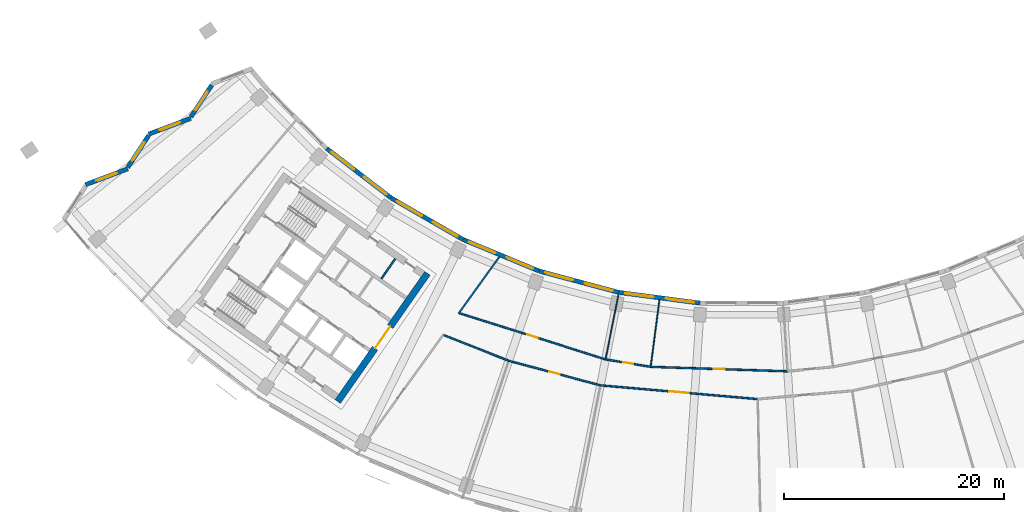
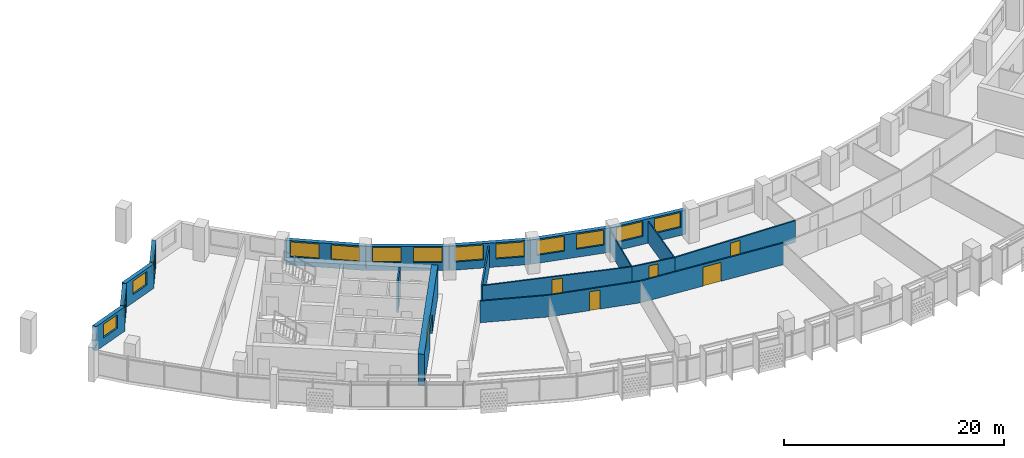
# One storey, part 4 of 27: 20 walls, 14 windows, 6 doors, 20 openings.
"""IFC4 building model written with IfcOpenShell, lengths in metres."""

from ifc_helpers import new_model, si_unit, direction, frame, frame_2d, origin, place, context, subcontext, project, spatial, rectangle, extrude, material, layer, layer_set, type_object, element, fill, save


model = new_model("IFC4")

# Units and contexts
model_context = context("Model", 3, precision=1e-05, world=origin(), true_north=direction((0.0, 1.0)))
body_context = subcontext(model_context, "Body", "Model", "MODEL_VIEW")
ifc_project = project(units=[si_unit("LENGTHUNIT", "METRE"), si_unit("AREAUNIT", "SQUARE_METRE"), si_unit("VOLUMEUNIT", "CUBIC_METRE"), si_unit("PLANEANGLEUNIT", "RADIAN"), si_unit("MASSUNIT", "GRAM", prefix="KILO")], contexts=[model_context])

# Site, building, storey
site_placement = place(None, origin())
site = spatial("IfcSite", under=ifc_project, at=site_placement, CompositionType="ELEMENT")
building_placement = place(site_placement, origin())
building = spatial("IfcBuilding", under=site, at=building_placement, Name="Qamariyya Broadcast Tower", CompositionType="ELEMENT")
storey_placement = place(building_placement, frame((0.0, 0.0, 191.10009765625)))
storey = spatial("IfcBuildingStorey", under=building, at=storey_placement, Name="L45", CompositionType="ELEMENT", Elevation=191.10009765625)

# Wall, opening, door
ifc_material_1 = material(Name="Concrete C60/75", Category="concrete")
ifc_layer_1 = layer(ifc_material_1, 0.60009765625)
ifc_layer_set_1 = layer_set([ifc_layer_1], Name="Core wall 600 mm Concrete C60/75")
wall_type_1 = type_object("IfcWallType", Name="Core wall 600 mm Concrete C60/75", PredefinedType="SHEAR", material=ifc_layer_set_1)
wall_1_placement = place(storey_placement, frame((-36.66748046875, -66.005126953125, 0.0), z_axis=(0.0, 0.0, 1.0), x_axis=(0.573568499524, 0.819157601658, 0.0)))
wall_1 = element("IfcWall", 1, at=wall_1_placement, inside=storey, type_object=wall_type_1, Name="k-W-L45-WA", PredefinedType="SHEAR", context=body_context, shape_type="SweptSolid", body=[
    extrude(rectangle(XDim=14.19970703125, YDim=0.60009765625, at=frame_2d((7.099853515625, 0.0))), origin(), (0.0, 0.0, 1.0), 3.5),
])
opening_1_placement = place(wall_1_placement, frame((5.89990234375, 0.0, 0.0)))
opening_1 = element("IfcOpeningElement", 2, at=opening_1_placement, cuts=wall_1, Name="Opening KD3-W1", PredefinedType="OPENING", context=body_context, shape_type="SweptSolid", body=[
    extrude(rectangle(XDim=2.39990234375, YDim=2.10009765625, at=frame_2d((1.199951171875, 1.050048828125))), frame((0.0, 0.31005859375, 0.0), z_axis=(0.0, -1.0, 0.0), x_axis=(1.0, 0.0, 0.0)), (0.0, 0.0, 1.0), 0.6201171875),
])
ifc_material_2 = material(Name="Steel fire-resisting door leaf", Category="steel")
door_type_1 = type_object("IfcDoorType", Name="Lift lobby door KD3", OperationType="DOUBLE_DOOR_SINGLE_SWING", PredefinedType="DOOR", material=ifc_material_2)
door_1_placement = place(opening_1_placement, origin())
door_1 = element("IfcDoor", 3, at=door_1_placement, inside=storey, type_object=door_type_1, Name="k-W-L45-WA-D1", OperationType="DOUBLE_DOOR_SINGLE_SWING", OverallHeight=2.10009765625, OverallWidth=2.39990234375, PredefinedType="DOOR", context=body_context, shape_type="SweptSolid", body=[
    extrude(rectangle(XDim=2.39990234375, YDim=2.10009765625, at=frame_2d((1.199951171875, 1.050048828125))), frame((0.0, 0.02490234375, 0.0), z_axis=(0.0, -1.0, 0.0), x_axis=(1.0, 0.0, 0.0)), (0.0, 0.0, 1.0), 0.050048828125),
])
fill(opening_1, door_1)

# Wall
ifc_material_3 = material(Name="Gypsum board partition")
ifc_layer_2 = layer(ifc_material_3, 0.14990234375)
ifc_layer_set_2 = layer_set([ifc_layer_2], Name="Corridor partition 150 EI 60")
wall_type_2 = type_object("IfcWallType", Name="Corridor partition 150 EI 60", PredefinedType="PARTITIONING", material=ifc_layer_set_2)
wall_2_placement = place(storey_placement, frame((-27.031005859375, -59.987548828125, 0.0), z_axis=(0.0, 0.0, 1.0), x_axis=(0.930189926157, -0.367078603675, 0.0)))
element("IfcWall", 4, at=wall_2_placement, inside=storey, type_object=wall_type_2, Name="Partition L45-003", PredefinedType="PARTITIONING", context=body_context, shape_type="SweptSolid", body=[
    extrude(rectangle(XDim=6.32177734375, YDim=0.14990234375, at=frame_2d((3.160888671875, 0.0))), origin(), (0.0, 0.0, 1.0), 2.39990234375),
])

# Wall, opening, door
wall_3_placement = place(storey_placement, frame((-25.59765625, -57.99365234375, 0.0), z_axis=(0.0, 0.0, 1.0), x_axis=(0.953361971867, -0.301829340187, 0.0)))
wall_3 = element("IfcWall", 5, at=wall_3_placement, inside=storey, type_object=wall_type_2, Name="Partition L45-004", PredefinedType="PARTITIONING", context=body_context, shape_type="SweptSolid", body=[
    extrude(rectangle(XDim=13.876220703125, YDim=0.14990234375, at=frame_2d((6.93798828125, 0.0))), origin(), (0.0, 0.0, 1.0), 2.39990234375),
])
opening_2_placement = place(wall_3_placement, frame((6.43798828125, 0.0, 0.0)))
opening_2 = element("IfcOpeningElement", 6, at=opening_2_placement, cuts=wall_3, Name="Opening L45-D07", PredefinedType="OPENING", context=body_context, shape_type="SweptSolid", body=[
    extrude(rectangle(XDim=1.0, YDim=2.10009765625, at=frame_2d((0.5, 1.050048828125))), frame((0.0, 0.0849609375, 0.0), z_axis=(0.0, -1.0, 0.0), x_axis=(1.0, 0.0, 0.0)), (0.0, 0.0, 1.0), 0.169921875),
])
ifc_material_4 = material(Name="Timber fire door leaf", Category="wood")
door_type_2 = type_object("IfcDoorType", Name="Fire door 1000 x 2100 FD60", OperationType="NOTDEFINED", PredefinedType="DOOR", material=ifc_material_4)
door_2_placement = place(opening_2_placement, origin())
door_2 = element("IfcDoor", 7, at=door_2_placement, inside=storey, type_object=door_type_2, Name="Door L45-D07", OperationType="SINGLE_SWING_RIGHT", OverallHeight=2.10009765625, OverallWidth=1.0, PredefinedType="DOOR", context=body_context, shape_type="SweptSolid", body=[
    extrude(rectangle(XDim=1.0, YDim=2.10009765625, at=frame_2d((0.5, 1.050048828125))), frame((0.0, 0.02490234375, 0.0), z_axis=(0.0, -1.0, 0.0), x_axis=(1.0, 0.0, 0.0)), (0.0, 0.0, 1.0), 0.050048828125),
])
fill(opening_2, door_2)

# Wall
wall_4_placement = place(storey_placement, frame((-22.0, -52.873046875, 0.0), z_axis=(0.0, 0.0, 1.0), x_axis=(-0.58417014289, -0.811631224236, 0.0)))
element("IfcWall", 8, at=wall_4_placement, inside=storey, type_object=wall_type_2, Name="Partition L45-006", PredefinedType="PARTITIONING", context=body_context, shape_type="SweptSolid", body=[
    extrude(rectangle(XDim=6.356201171875, YDim=0.14990234375, at=frame_2d((3.17822265625, 0.0))), origin(), (0.0, 0.0, 1.0), 2.39990234375),
])

# Wall, opening, door
wall_5_placement = place(storey_placement, frame((-12.8369140625, -64.53564453125, 0.0), z_axis=(0.0, 0.0, 1.0), x_axis=(-0.965929186451, 0.258806504483, 0.0)))
wall_5 = element("IfcWall", 9, at=wall_5_placement, inside=storey, type_object=wall_type_2, Name="Partition L45-007", PredefinedType="PARTITIONING", context=body_context, shape_type="SweptSolid", body=[
    extrude(rectangle(XDim=8.60693359375, YDim=0.14990234375, at=frame_2d((4.303466796875, 0.0))), origin(), (0.0, 0.0, 1.0), 2.39990234375),
])
opening_3_placement = place(wall_5_placement, frame((3.803466796875, 0.0, 0.0)))
opening_3 = element("IfcOpeningElement", 10, at=opening_3_placement, cuts=wall_5, Name="Opening L45-D02", PredefinedType="OPENING", context=body_context, shape_type="SweptSolid", body=[
    extrude(rectangle(XDim=1.0, YDim=2.10009765625, at=frame_2d((0.5, 1.050048828125))), frame((0.0, 0.0849609375, 0.0), z_axis=(0.0, -1.0, 0.0), x_axis=(1.0, 0.0, 0.0)), (0.0, 0.0, 1.0), 0.169921875),
])
door_3_placement = place(opening_3_placement, origin())
door_3 = element("IfcDoor", 11, at=door_3_placement, inside=storey, type_object=door_type_2, Name="Door L45-D02", OperationType="SINGLE_SWING_RIGHT", OverallHeight=2.10009765625, OverallWidth=1.0, PredefinedType="DOOR", context=body_context, shape_type="SweptSolid", body=[
    extrude(rectangle(XDim=1.0, YDim=2.10009765625, at=frame_2d((0.5, 1.050048828125))), frame((0.0, 0.02490234375, 0.0), z_axis=(0.0, -1.0, 0.0), x_axis=(1.0, 0.0, 0.0)), (0.0, 0.0, 1.0), 0.050048828125),
])
fill(opening_3, door_3)

wall_6_placement = place(storey_placement, frame((1.437255859375, -65.7841796875, 0.0), z_axis=(0.0, 0.0, 1.0), x_axis=(-0.996196472661, 0.087135456945, 0.0)))
wall_6 = element("IfcWall", 12, at=wall_6_placement, inside=storey, type_object=wall_type_2, Name="Partition L45-009", PredefinedType="PARTITIONING", context=body_context, shape_type="SweptSolid", body=[
    extrude(rectangle(XDim=14.32861328125, YDim=0.14990234375, at=frame_2d((7.164306640625, 0.0))), origin(), (0.0, 0.0, 1.0), 2.39990234375),
])
opening_4_placement = place(wall_6_placement, frame((6.264404296875, 0.0, 0.0)))
opening_4 = element("IfcOpeningElement", 13, at=opening_4_placement, cuts=wall_6, Name="Opening L45-D03", PredefinedType="OPENING", context=body_context, shape_type="SweptSolid", body=[
    extrude(rectangle(XDim=1.800048828125, YDim=2.10009765625, at=frame_2d((0.89990234375, 1.050048828125))), frame((0.0, 0.0849609375, 0.0), z_axis=(0.0, -1.0, 0.0), x_axis=(1.0, 0.0, 0.0)), (0.0, 0.0, 1.0), 0.169921875),
])
door_type_3 = type_object("IfcDoorType", Name="Double fire door 1800 x 2100 FD60", OperationType="NOTDEFINED", PredefinedType="DOOR", material=ifc_material_4)
door_4_placement = place(opening_4_placement, origin())
door_4 = element("IfcDoor", 14, at=door_4_placement, inside=storey, type_object=door_type_3, Name="Door L45-D03", OperationType="DOUBLE_DOOR_SINGLE_SWING", OverallHeight=2.10009765625, OverallWidth=1.800048828125, PredefinedType="DOOR", context=body_context, shape_type="SweptSolid", body=[
    extrude(rectangle(XDim=1.800048828125, YDim=2.10009765625, at=frame_2d((0.89990234375, 1.050048828125))), frame((0.0, 0.02490234375, 0.0), z_axis=(0.0, -1.0, 0.0), x_axis=(1.0, 0.0, 0.0)), (0.0, 0.0, 1.0), 0.050048828125),
])
fill(opening_4, door_4)

wall_7_placement = place(storey_placement, frame((-12.36865234375, -62.181884765625, 0.0), z_axis=(0.0, 0.0, 1.0), x_axis=(0.986644067936, -0.162891016345, 0.0)))
wall_7 = element("IfcWall", 15, at=wall_7_placement, inside=storey, type_object=wall_type_2, Name="Partition L45-010", PredefinedType="PARTITIONING", context=body_context, shape_type="SweptSolid", body=[
    extrude(rectangle(XDim=4.148681640625, YDim=0.14990234375, at=frame_2d((2.07421875, 0.0))), origin(), (0.0, 0.0, 1.0), 2.39990234375),
])
opening_5_placement = place(wall_7_placement, frame((1.62451171875, 0.0, 0.0)))
opening_5 = element("IfcOpeningElement", 16, at=opening_5_placement, cuts=wall_7, Name="Opening L45-D08", PredefinedType="OPENING", context=body_context, shape_type="SweptSolid", body=[
    extrude(rectangle(XDim=0.89990234375, YDim=2.10009765625, at=frame_2d((0.449951171875, 1.050048828125))), frame((0.0, 0.0849609375, 0.0), z_axis=(0.0, -1.0, 0.0), x_axis=(1.0, 0.0, 0.0)), (0.0, 0.0, 1.0), 0.169921875),
])
door_type_4 = type_object("IfcDoorType", Name="Fire door 900 x 2100 FD60", OperationType="NOTDEFINED", PredefinedType="DOOR", material=ifc_material_4)
door_5_placement = place(opening_5_placement, origin())
door_5 = element("IfcDoor", 17, at=door_5_placement, inside=storey, type_object=door_type_4, Name="Door L45-D08", OperationType="SINGLE_SWING_RIGHT", OverallHeight=2.10009765625, OverallWidth=0.89990234375, PredefinedType="DOOR", context=body_context, shape_type="SweptSolid", body=[
    extrude(rectangle(XDim=0.89990234375, YDim=2.10009765625, at=frame_2d((0.449951171875, 1.050048828125))), frame((0.0, 0.02490234375, 0.0), z_axis=(0.0, -1.0, 0.0), x_axis=(1.0, 0.0, 0.0)), (0.0, 0.0, 1.0), 0.050048828125),
])
fill(opening_5, door_5)

wall_8_placement = place(storey_placement, frame((-8.275390625, -62.857666015625, 0.0), z_axis=(0.0, 0.0, 1.0), x_axis=(0.999464997707, -0.032706549158, 0.0)))
wall_8 = element("IfcWall", 18, at=wall_8_placement, inside=storey, type_object=wall_type_2, Name="Partition L45-012", PredefinedType="PARTITIONING", context=body_context, shape_type="SweptSolid", body=[
    extrude(rectangle(XDim=12.428466796875, YDim=0.14990234375, at=frame_2d((6.21435546875, 0.0))), origin(), (0.0, 0.0, 1.0), 2.39990234375),
])
opening_6_placement = place(wall_8_placement, frame((5.71435546875, 0.0, 0.0)))
opening_6 = element("IfcOpeningElement", 19, at=opening_6_placement, cuts=wall_8, Name="Opening L45-D09", PredefinedType="OPENING", context=body_context, shape_type="SweptSolid", body=[
    extrude(rectangle(XDim=1.0, YDim=2.10009765625, at=frame_2d((0.5, 1.050048828125))), frame((0.0, 0.0849609375, 0.0), z_axis=(0.0, -1.0, 0.0), x_axis=(1.0, 0.0, 0.0)), (0.0, 0.0, 1.0), 0.169921875),
])
door_6_placement = place(opening_6_placement, origin())
door_6 = element("IfcDoor", 20, at=door_6_placement, inside=storey, type_object=door_type_2, Name="Door L45-D09", OperationType="SINGLE_SWING_RIGHT", OverallHeight=2.10009765625, OverallWidth=1.0, PredefinedType="DOOR", context=body_context, shape_type="SweptSolid", body=[
    extrude(rectangle(XDim=1.0, YDim=2.10009765625, at=frame_2d((0.5, 1.050048828125))), frame((0.0, 0.02490234375, 0.0), z_axis=(0.0, -1.0, 0.0), x_axis=(1.0, 0.0, 0.0)), (0.0, 0.0, 1.0), 0.050048828125),
])
fill(opening_6, door_6)

# Walls
ifc_material_5 = material(Name="Gypsum board partition on steel studs", Category="steel")
ifc_layer_3 = layer(ifc_material_5, 0.14990234375)
ifc_layer_set_3 = layer_set([ifc_layer_3], Name="Gypsum board partition 150 mm")
wall_type_3 = type_object("IfcWallType", Name="Gypsum board partition 150 mm", PredefinedType="PARTITIONING", material=ifc_layer_set_3)
wall_9_placement = place(storey_placement, frame((-32.709228515625, -54.860107421875, 0.0), z_axis=(0.0, 0.0, 1.0), x_axis=(0.573633636671, 0.819111989218, 0.0)))
element("IfcWall", 21, at=wall_9_placement, inside=storey, type_object=wall_type_3, Name="k-W-L45-NP285", PredefinedType="PARTITIONING", context=body_context, shape_type="SweptSolid", body=[
    extrude(rectangle(XDim=2.199951171875, YDim=0.14990234375, at=frame_2d((1.10009765625, 0.0))), origin(), (0.0, 0.0, 1.0), 3.5),
])
ifc_layer_4 = layer(ifc_material_3, 0.10009765625)
ifc_layer_set_4 = layer_set([ifc_layer_4], Name="Partition 100")
wall_type_4 = type_object("IfcWallType", Name="Partition 100", PredefinedType="PARTITIONING", material=ifc_layer_set_4)
wall_10_placement = place(storey_placement, frame((-11.1982421875, -56.297119140625, 0.0), z_axis=(0.0, 0.0, 1.0), x_axis=(-0.195070020718, -0.980789318364, 0.0)))
element("IfcWall", 22, at=wall_10_placement, inside=storey, type_object=wall_type_4, Name="Partition L45-011", PredefinedType="PARTITIONING", context=body_context, shape_type="SweptSolid", body=[
    extrude(rectangle(XDim=5.9248046875, YDim=0.10009765625, at=frame_2d((2.96240234375, 0.0))), origin(), (0.0, 0.0, 1.0), 2.39990234375),
])
wall_11_placement = place(storey_placement, frame((-7.476318359375, -56.787841796875, 0.0), z_axis=(0.0, 0.0, 1.0), x_axis=(-0.130526573864, -0.991444811129, 0.0)))
element("IfcWall", 23, at=wall_11_placement, inside=storey, type_object=wall_type_4, Name="Partition L45-013", PredefinedType="PARTITIONING", context=body_context, shape_type="SweptSolid", body=[
    extrude(rectangle(XDim=6.047119140625, YDim=0.10009765625, at=frame_2d((3.0234375, 0.0))), origin(), (0.0, 0.0, 1.0), 2.39990234375),
])

# Wall, opening, window
ifc_material_6 = material(Name="Terracotta", Category="masonry")
ifc_layer_5 = layer(ifc_material_6, 0.39990234375)
ifc_layer_set_5 = layer_set([ifc_layer_5], Name="Terracotta clad wall 400")
wall_type_5 = type_object("IfcWallType", Name="Terracotta clad wall 400", PredefinedType="SOLIDWALL", material=ifc_layer_set_5)
wall_12_placement = place(storey_placement, frame((-48.099609375, -37.297607421875, 0.0), z_axis=(0.0, 0.0, 1.0), x_axis=(-0.548625435606, -0.836068257624, 0.0)))
wall_12 = element("IfcWall", 24, at=wall_12_placement, inside=storey, type_object=wall_type_5, Name="e-wl-L45-capW1", PredefinedType="SOLIDWALL", context=body_context, shape_type="SweptSolid", body=[
    extrude(rectangle(XDim=3.43994140625, YDim=0.39990234375, at=frame_2d((1.719970703125, 0.0))), origin(), (0.0, 0.0, 1.0), 2.699951171875),
])
opening_7_placement = place(wall_12_placement, frame((0.719970703125, 0.0, 0.89990234375)))
opening_7 = element("IfcOpeningElement", 25, at=opening_7_placement, cuts=wall_12, Name="Opening W4", PredefinedType="OPENING", context=body_context, shape_type="SweptSolid", body=[
    extrude(rectangle(XDim=2.0, YDim=1.5, at=frame_2d((1.0, 0.75))), frame((0.0, 0.2099609375, 0.0), z_axis=(0.0, -1.0, 0.0), x_axis=(1.0, 0.0, 0.0)), (0.0, 0.0, 1.0), 0.419921875),
])
ifc_material_7 = material(Name="Clear low-e double glazed unit in aluminium frame", Category="aluminium")
window_type_1 = type_object("IfcWindowType", Name="Horn bay window 2000 x 1500", PartitioningType="SINGLE_PANEL", PredefinedType="WINDOW", material=ifc_material_7)
window_1_placement = place(opening_7_placement, origin())
window_1 = element("IfcWindow", 26, at=window_1_placement, inside=storey, type_object=window_type_1, Name="e-w-L45-capW1", OverallHeight=1.5, OverallWidth=2.0, PartitioningType="SINGLE_PANEL", PredefinedType="WINDOW", context=body_context, shape_type="SweptSolid", body=[
    extrude(rectangle(XDim=2.0, YDim=1.5, at=frame_2d((1.0, 0.75))), frame((0.0, 0.030029296875, 0.0), z_axis=(0.0, -1.0, 0.0), x_axis=(1.0, 0.0, 0.0)), (0.0, 0.0, 1.0), 0.06005859375),
])
fill(opening_7, window_1)

wall_13_placement = place(storey_placement, frame((-49.9921875, -40.31103515625, 0.0), z_axis=(0.0, 0.0, 1.0), x_axis=(-0.936738412032, -0.350030209303, 0.0)))
wall_13 = element("IfcWall", 27, at=wall_13_placement, inside=storey, type_object=wall_type_5, Name="e-wl-L45-capW2", PredefinedType="SOLIDWALL", context=body_context, shape_type="SweptSolid", body=[
    extrude(rectangle(XDim=4.087890625, YDim=0.39990234375, at=frame_2d((2.0439453125, 0.0))), origin(), (0.0, 0.0, 1.0), 2.699951171875),
])
opening_8_placement = place(wall_13_placement, frame((1.0439453125, 0.0, 0.89990234375)))
opening_8 = element("IfcOpeningElement", 28, at=opening_8_placement, cuts=wall_13, Name="Opening W4", PredefinedType="OPENING", context=body_context, shape_type="SweptSolid", body=[
    extrude(rectangle(XDim=2.0, YDim=1.5, at=frame_2d((1.0, 0.75))), frame((0.0, 0.2099609375, 0.0), z_axis=(0.0, -1.0, 0.0), x_axis=(1.0, 0.0, 0.0)), (0.0, 0.0, 1.0), 0.419921875),
])
window_2_placement = place(opening_8_placement, origin())
window_2 = element("IfcWindow", 29, at=window_2_placement, inside=storey, type_object=window_type_1, Name="e-w-L45-capW2", OverallHeight=1.5, OverallWidth=2.0, PartitioningType="SINGLE_PANEL", PredefinedType="WINDOW", context=body_context, shape_type="SweptSolid", body=[
    extrude(rectangle(XDim=2.0, YDim=1.5, at=frame_2d((1.0, 0.75))), frame((0.0, 0.030029296875, 0.0), z_axis=(0.0, -1.0, 0.0), x_axis=(1.0, 0.0, 0.0)), (0.0, 0.0, 1.0), 0.06005859375),
])
fill(opening_8, window_2)

wall_14_placement = place(storey_placement, frame((-53.826904296875, -41.879638671875, 0.0), z_axis=(0.0, 0.0, 1.0), x_axis=(-0.54855718099, -0.836113042109, 0.0)))
wall_14 = element("IfcWall", 30, at=wall_14_placement, inside=storey, type_object=wall_type_5, Name="e-wl-L45-capW3", PredefinedType="SOLIDWALL", context=body_context, shape_type="SweptSolid", body=[
    extrude(rectangle(XDim=3.4384765625, YDim=0.39990234375, at=frame_2d((1.71923828125, 0.0))), origin(), (0.0, 0.0, 1.0), 2.699951171875),
])
opening_9_placement = place(wall_14_placement, frame((0.71923828125, 0.0, 0.89990234375)))
opening_9 = element("IfcOpeningElement", 31, at=opening_9_placement, cuts=wall_14, Name="Opening W4", PredefinedType="OPENING", context=body_context, shape_type="SweptSolid", body=[
    extrude(rectangle(XDim=2.0, YDim=1.5, at=frame_2d((1.0, 0.75))), frame((0.0, 0.2099609375, 0.0), z_axis=(0.0, -1.0, 0.0), x_axis=(1.0, 0.0, 0.0)), (0.0, 0.0, 1.0), 0.419921875),
])
window_3_placement = place(opening_9_placement, origin())
window_3 = element("IfcWindow", 32, at=window_3_placement, inside=storey, type_object=window_type_1, Name="e-w-L45-capW3", OverallHeight=1.5, OverallWidth=2.0, PartitioningType="SINGLE_PANEL", PredefinedType="WINDOW", context=body_context, shape_type="SweptSolid", body=[
    extrude(rectangle(XDim=2.0, YDim=1.5, at=frame_2d((1.0, 0.75))), frame((0.0, 0.030029296875, 0.0), z_axis=(0.0, -1.0, 0.0), x_axis=(1.0, 0.0, 0.0)), (0.0, 0.0, 1.0), 0.06005859375),
])
fill(opening_9, window_3)

wall_15_placement = place(storey_placement, frame((-55.718505859375, -44.89208984375, 0.0), z_axis=(0.0, 0.0, 1.0), x_axis=(-0.936708939867, -0.350109071539, 0.0)))
wall_15 = element("IfcWall", 33, at=wall_15_placement, inside=storey, type_object=wall_type_5, Name="e-wl-L45-capW4", PredefinedType="SOLIDWALL", context=body_context, shape_type="SweptSolid", body=[
    extrude(rectangle(XDim=4.089111328125, YDim=0.39990234375, at=frame_2d((2.04443359375, 0.0))), origin(), (0.0, 0.0, 1.0), 2.699951171875),
])
opening_10_placement = place(wall_15_placement, frame((1.04443359375, 0.0, 0.89990234375)))
opening_10 = element("IfcOpeningElement", 34, at=opening_10_placement, cuts=wall_15, Name="Opening W4", PredefinedType="OPENING", context=body_context, shape_type="SweptSolid", body=[
    extrude(rectangle(XDim=2.0, YDim=1.5, at=frame_2d((1.0, 0.75))), frame((0.0, 0.2099609375, 0.0), z_axis=(0.0, -1.0, 0.0), x_axis=(1.0, 0.0, 0.0)), (0.0, 0.0, 1.0), 0.419921875),
])
window_4_placement = place(opening_10_placement, origin())
window_4 = element("IfcWindow", 35, at=window_4_placement, inside=storey, type_object=window_type_1, Name="e-w-L45-capW4", OverallHeight=1.5, OverallWidth=2.0, PartitioningType="SINGLE_PANEL", PredefinedType="WINDOW", context=body_context, shape_type="SweptSolid", body=[
    extrude(rectangle(XDim=2.0, YDim=1.5, at=frame_2d((1.0, 0.75))), frame((0.0, 0.030029296875, 0.0), z_axis=(0.0, -1.0, 0.0), x_axis=(1.0, 0.0, 0.0)), (0.0, 0.0, 1.0), 0.06005859375),
])
fill(opening_10, window_4)

# Wall, openings, windows
wall_16_placement = place(storey_placement, frame((-31.819091796875, -47.529541015625, 0.0), z_axis=(0.0, 0.0, 1.0), x_axis=(-0.79334647843, 0.608770371457, 0.0)))
wall_16 = element("IfcWall", 36, at=wall_16_placement, inside=storey, type_object=wall_type_5, Name="e-wl-L45-in20", PredefinedType="SOLIDWALL", context=body_context, shape_type="SweptSolid", body=[
    extrude(rectangle(XDim=7.380615234375, YDim=0.39990234375, at=frame_2d((3.6904296875, 0.0))), origin(), (0.0, 0.0, 1.0), 2.699951171875),
])
opening_11_placement = place(wall_16_placement, frame((4.25439453125, 0.0, 0.89990234375)))
opening_11 = element("IfcOpeningElement", 37, at=opening_11_placement, cuts=wall_16, Name="Opening W1", PredefinedType="OPENING", context=body_context, shape_type="SweptSolid", body=[
    extrude(rectangle(XDim=2.60009765625, YDim=1.64990234375, at=frame_2d((1.300048828125, 0.824951171875))), frame((0.0, 0.2099609375, 0.0), z_axis=(0.0, -1.0, 0.0), x_axis=(1.0, 0.0, 0.0)), (0.0, 0.0, 1.0), 0.419921875),
])
opening_12_placement = place(wall_16_placement, frame((0.5263671875, 0.0, 0.89990234375)))
opening_12 = element("IfcOpeningElement", 38, at=opening_12_placement, cuts=wall_16, Name="Opening W1", PredefinedType="OPENING", context=body_context, shape_type="SweptSolid", body=[
    extrude(rectangle(XDim=2.60009765625, YDim=1.64990234375, at=frame_2d((1.300048828125, 0.824951171875))), frame((0.0, 0.2099609375, 0.0), z_axis=(0.0, -1.0, 0.0), x_axis=(1.0, 0.0, 0.0)), (0.0, 0.0, 1.0), 0.419921875),
])
window_type_2 = type_object("IfcWindowType", Name="Ribbon window 2600 x 1650", PartitioningType="SINGLE_PANEL", PredefinedType="WINDOW", material=ifc_material_7)
window_5_placement = place(opening_11_placement, origin())
window_5 = element("IfcWindow", 39, at=window_5_placement, inside=storey, type_object=window_type_2, Name="e-w-L45-in02-0", OverallHeight=1.64990234375, OverallWidth=2.60009765625, PartitioningType="SINGLE_PANEL", PredefinedType="WINDOW", context=body_context, shape_type="SweptSolid", body=[
    extrude(rectangle(XDim=2.60009765625, YDim=1.64990234375, at=frame_2d((1.300048828125, 0.824951171875))), frame((0.0, 0.030029296875, 0.0), z_axis=(0.0, -1.0, 0.0), x_axis=(1.0, 0.0, 0.0)), (0.0, 0.0, 1.0), 0.06005859375),
])
fill(opening_11, window_5)
window_6_placement = place(opening_12_placement, origin())
window_6 = element("IfcWindow", 40, at=window_6_placement, inside=storey, type_object=window_type_2, Name="e-w-L45-in02-1", OverallHeight=1.64990234375, OverallWidth=2.60009765625, PartitioningType="SINGLE_PANEL", PredefinedType="WINDOW", context=body_context, shape_type="SweptSolid", body=[
    extrude(rectangle(XDim=2.60009765625, YDim=1.64990234375, at=frame_2d((1.300048828125, 0.824951171875))), frame((0.0, 0.030029296875, 0.0), z_axis=(0.0, -1.0, 0.0), x_axis=(1.0, 0.0, 0.0)), (0.0, 0.0, 1.0), 0.06005859375),
])
fill(opening_12, window_6)

wall_17_placement = place(storey_placement, frame((-25.27734375, -51.31396484375, 0.0), z_axis=(0.0, 0.0, 1.0), x_axis=(-0.866028517328, 0.499994607145, 0.0)))
wall_17 = element("IfcWall", 41, at=wall_17_placement, inside=storey, type_object=wall_type_5, Name="e-wl-L45-in30", PredefinedType="SOLIDWALL", context=body_context, shape_type="SweptSolid", body=[
    extrude(rectangle(XDim=7.5322265625, YDim=0.39990234375, at=frame_2d((3.76611328125, 0.0))), origin(), (0.0, 0.0, 1.0), 2.699951171875),
])
opening_13_placement = place(wall_17_placement, frame((4.330078125, 0.0, 0.89990234375)))
opening_13 = element("IfcOpeningElement", 42, at=opening_13_placement, cuts=wall_17, Name="Opening W1", PredefinedType="OPENING", context=body_context, shape_type="SweptSolid", body=[
    extrude(rectangle(XDim=2.60009765625, YDim=1.64990234375, at=frame_2d((1.300048828125, 0.824951171875))), frame((0.0, 0.2099609375, 0.0), z_axis=(0.0, -1.0, 0.0), x_axis=(1.0, 0.0, 0.0)), (0.0, 0.0, 1.0), 0.419921875),
])
opening_14_placement = place(wall_17_placement, frame((0.60205078125, 0.0, 0.89990234375)))
opening_14 = element("IfcOpeningElement", 43, at=opening_14_placement, cuts=wall_17, Name="Opening W1", PredefinedType="OPENING", context=body_context, shape_type="SweptSolid", body=[
    extrude(rectangle(XDim=2.60009765625, YDim=1.64990234375, at=frame_2d((1.300048828125, 0.824951171875))), frame((0.0, 0.2099609375, 0.0), z_axis=(0.0, -1.0, 0.0), x_axis=(1.0, 0.0, 0.0)), (0.0, 0.0, 1.0), 0.419921875),
])
window_7_placement = place(opening_13_placement, origin())
window_7 = element("IfcWindow", 44, at=window_7_placement, inside=storey, type_object=window_type_2, Name="e-w-L45-in03-0", OverallHeight=1.64990234375, OverallWidth=2.60009765625, PartitioningType="SINGLE_PANEL", PredefinedType="WINDOW", context=body_context, shape_type="SweptSolid", body=[
    extrude(rectangle(XDim=2.60009765625, YDim=1.64990234375, at=frame_2d((1.300048828125, 0.824951171875))), frame((0.0, 0.030029296875, 0.0), z_axis=(0.0, -1.0, 0.0), x_axis=(1.0, 0.0, 0.0)), (0.0, 0.0, 1.0), 0.06005859375),
])
fill(opening_13, window_7)
window_8_placement = place(opening_14_placement, origin())
window_8 = element("IfcWindow", 45, at=window_8_placement, inside=storey, type_object=window_type_2, Name="e-w-L45-in03-1", OverallHeight=1.64990234375, OverallWidth=2.60009765625, PartitioningType="SINGLE_PANEL", PredefinedType="WINDOW", context=body_context, shape_type="SweptSolid", body=[
    extrude(rectangle(XDim=2.60009765625, YDim=1.64990234375, at=frame_2d((1.300048828125, 0.824951171875))), frame((0.0, 0.030029296875, 0.0), z_axis=(0.0, -1.0, 0.0), x_axis=(1.0, 0.0, 0.0)), (0.0, 0.0, 1.0), 0.06005859375),
])
fill(opening_14, window_8)

wall_18_placement = place(storey_placement, frame((-18.433349609375, -54.1455078125, 0.0), z_axis=(0.0, 0.0, 1.0), x_axis=(-0.923867659443, 0.382712095229, 0.0)))
wall_18 = element("IfcWall", 46, at=wall_18_placement, inside=storey, type_object=wall_type_5, Name="e-wl-L45-in40", PredefinedType="SOLIDWALL", context=body_context, shape_type="SweptSolid", body=[
    extrude(rectangle(XDim=7.380859375, YDim=0.39990234375, at=frame_2d((3.6904296875, 0.0))), origin(), (0.0, 0.0, 1.0), 2.699951171875),
])
opening_15_placement = place(wall_18_placement, frame((4.25439453125, 0.0, 0.89990234375)))
opening_15 = element("IfcOpeningElement", 47, at=opening_15_placement, cuts=wall_18, Name="Opening W1", PredefinedType="OPENING", context=body_context, shape_type="SweptSolid", body=[
    extrude(rectangle(XDim=2.60009765625, YDim=1.64990234375, at=frame_2d((1.300048828125, 0.824951171875))), frame((0.0, 0.2099609375, 0.0), z_axis=(0.0, -1.0, 0.0), x_axis=(1.0, 0.0, 0.0)), (0.0, 0.0, 1.0), 0.419921875),
])
opening_16_placement = place(wall_18_placement, frame((0.5263671875, 0.0, 0.89990234375)))
opening_16 = element("IfcOpeningElement", 48, at=opening_16_placement, cuts=wall_18, Name="Opening W1", PredefinedType="OPENING", context=body_context, shape_type="SweptSolid", body=[
    extrude(rectangle(XDim=2.60009765625, YDim=1.64990234375, at=frame_2d((1.300048828125, 0.824951171875))), frame((0.0, 0.2099609375, 0.0), z_axis=(0.0, -1.0, 0.0), x_axis=(1.0, 0.0, 0.0)), (0.0, 0.0, 1.0), 0.419921875),
])
window_9_placement = place(opening_15_placement, origin())
window_9 = element("IfcWindow", 49, at=window_9_placement, inside=storey, type_object=window_type_2, Name="e-w-L45-in04-0", OverallHeight=1.64990234375, OverallWidth=2.60009765625, PartitioningType="SINGLE_PANEL", PredefinedType="WINDOW", context=body_context, shape_type="SweptSolid", body=[
    extrude(rectangle(XDim=2.60009765625, YDim=1.64990234375, at=frame_2d((1.300048828125, 0.824951171875))), frame((0.0, 0.030029296875, 0.0), z_axis=(0.0, -1.0, 0.0), x_axis=(1.0, 0.0, 0.0)), (0.0, 0.0, 1.0), 0.06005859375),
])
fill(opening_15, window_9)
window_10_placement = place(opening_16_placement, origin())
window_10 = element("IfcWindow", 50, at=window_10_placement, inside=storey, type_object=window_type_2, Name="e-w-L45-in04-1", OverallHeight=1.64990234375, OverallWidth=2.60009765625, PartitioningType="SINGLE_PANEL", PredefinedType="WINDOW", context=body_context, shape_type="SweptSolid", body=[
    extrude(rectangle(XDim=2.60009765625, YDim=1.64990234375, at=frame_2d((1.300048828125, 0.824951171875))), frame((0.0, 0.030029296875, 0.0), z_axis=(0.0, -1.0, 0.0), x_axis=(1.0, 0.0, 0.0)), (0.0, 0.0, 1.0), 0.06005859375),
])
fill(opening_16, window_10)

wall_19_placement = place(storey_placement, frame((-11.135009765625, -56.10791015625, 0.0), z_axis=(0.0, 0.0, 1.0), x_axis=(-0.965927073219, 0.258814391452, 0.0)))
wall_19 = element("IfcWall", 51, at=wall_19_placement, inside=storey, type_object=wall_type_5, Name="e-wl-L45-in50", PredefinedType="SOLIDWALL", context=body_context, shape_type="SweptSolid", body=[
    extrude(rectangle(XDim=7.5322265625, YDim=0.39990234375, at=frame_2d((3.76611328125, 0.0))), origin(), (0.0, 0.0, 1.0), 2.699951171875),
])
opening_17_placement = place(wall_19_placement, frame((4.330078125, 0.0, 0.89990234375)))
opening_17 = element("IfcOpeningElement", 52, at=opening_17_placement, cuts=wall_19, Name="Opening W1", PredefinedType="OPENING", context=body_context, shape_type="SweptSolid", body=[
    extrude(rectangle(XDim=2.60009765625, YDim=1.64990234375, at=frame_2d((1.300048828125, 0.824951171875))), frame((0.0, 0.2099609375, 0.0), z_axis=(0.0, -1.0, 0.0), x_axis=(1.0, 0.0, 0.0)), (0.0, 0.0, 1.0), 0.419921875),
])
opening_18_placement = place(wall_19_placement, frame((0.60205078125, 0.0, 0.89990234375)))
opening_18 = element("IfcOpeningElement", 53, at=opening_18_placement, cuts=wall_19, Name="Opening W1", PredefinedType="OPENING", context=body_context, shape_type="SweptSolid", body=[
    extrude(rectangle(XDim=2.60009765625, YDim=1.64990234375, at=frame_2d((1.300048828125, 0.824951171875))), frame((0.0, 0.2099609375, 0.0), z_axis=(0.0, -1.0, 0.0), x_axis=(1.0, 0.0, 0.0)), (0.0, 0.0, 1.0), 0.419921875),
])
window_11_placement = place(opening_17_placement, origin())
window_11 = element("IfcWindow", 54, at=window_11_placement, inside=storey, type_object=window_type_2, Name="e-w-L45-in05-0", OverallHeight=1.64990234375, OverallWidth=2.60009765625, PartitioningType="SINGLE_PANEL", PredefinedType="WINDOW", context=body_context, shape_type="SweptSolid", body=[
    extrude(rectangle(XDim=2.60009765625, YDim=1.64990234375, at=frame_2d((1.300048828125, 0.824951171875))), frame((0.0, 0.030029296875, 0.0), z_axis=(0.0, -1.0, 0.0), x_axis=(1.0, 0.0, 0.0)), (0.0, 0.0, 1.0), 0.06005859375),
])
fill(opening_17, window_11)
window_12_placement = place(opening_18_placement, origin())
window_12 = element("IfcWindow", 55, at=window_12_placement, inside=storey, type_object=window_type_2, Name="e-w-L45-in05-1", OverallHeight=1.64990234375, OverallWidth=2.60009765625, PartitioningType="SINGLE_PANEL", PredefinedType="WINDOW", context=body_context, shape_type="SweptSolid", body=[
    extrude(rectangle(XDim=2.60009765625, YDim=1.64990234375, at=frame_2d((1.300048828125, 0.824951171875))), frame((0.0, 0.030029296875, 0.0), z_axis=(0.0, -1.0, 0.0), x_axis=(1.0, 0.0, 0.0)), (0.0, 0.0, 1.0), 0.06005859375),
])
fill(opening_18, window_12)

wall_20_placement = place(storey_placement, frame((-3.79150390625, -57.0712890625, 0.0), z_axis=(0.0, 0.0, 1.0), x_axis=(-0.99144438474, 0.130529812564, 0.0)))
wall_20 = element("IfcWall", 56, at=wall_20_placement, inside=storey, type_object=wall_type_5, Name="e-wl-L45-in60", PredefinedType="SOLIDWALL", context=body_context, shape_type="SweptSolid", body=[
    extrude(rectangle(XDim=7.380615234375, YDim=0.39990234375, at=frame_2d((3.6904296875, 0.0))), origin(), (0.0, 0.0, 1.0), 2.699951171875),
])
opening_19_placement = place(wall_20_placement, frame((4.25439453125, 0.0, 0.89990234375)))
opening_19 = element("IfcOpeningElement", 57, at=opening_19_placement, cuts=wall_20, Name="Opening W1", PredefinedType="OPENING", context=body_context, shape_type="SweptSolid", body=[
    extrude(rectangle(XDim=2.60009765625, YDim=1.64990234375, at=frame_2d((1.300048828125, 0.824951171875))), frame((0.0, 0.2099609375, 0.0), z_axis=(0.0, -1.0, 0.0), x_axis=(1.0, 0.0, 0.0)), (0.0, 0.0, 1.0), 0.419921875),
])
opening_20_placement = place(wall_20_placement, frame((0.5263671875, 0.0, 0.89990234375)))
opening_20 = element("IfcOpeningElement", 58, at=opening_20_placement, cuts=wall_20, Name="Opening W1", PredefinedType="OPENING", context=body_context, shape_type="SweptSolid", body=[
    extrude(rectangle(XDim=2.60009765625, YDim=1.64990234375, at=frame_2d((1.300048828125, 0.824951171875))), frame((0.0, 0.2099609375, 0.0), z_axis=(0.0, -1.0, 0.0), x_axis=(1.0, 0.0, 0.0)), (0.0, 0.0, 1.0), 0.419921875),
])
window_13_placement = place(opening_19_placement, origin())
window_13 = element("IfcWindow", 59, at=window_13_placement, inside=storey, type_object=window_type_2, Name="e-w-L45-in06-0", OverallHeight=1.64990234375, OverallWidth=2.60009765625, PartitioningType="SINGLE_PANEL", PredefinedType="WINDOW", context=body_context, shape_type="SweptSolid", body=[
    extrude(rectangle(XDim=2.60009765625, YDim=1.64990234375, at=frame_2d((1.300048828125, 0.824951171875))), frame((0.0, 0.030029296875, 0.0), z_axis=(0.0, -1.0, 0.0), x_axis=(1.0, 0.0, 0.0)), (0.0, 0.0, 1.0), 0.06005859375),
])
fill(opening_19, window_13)
window_14_placement = place(opening_20_placement, origin())
window_14 = element("IfcWindow", 60, at=window_14_placement, inside=storey, type_object=window_type_2, Name="e-w-L45-in06-1", OverallHeight=1.64990234375, OverallWidth=2.60009765625, PartitioningType="SINGLE_PANEL", PredefinedType="WINDOW", context=body_context, shape_type="SweptSolid", body=[
    extrude(rectangle(XDim=2.60009765625, YDim=1.64990234375, at=frame_2d((1.300048828125, 0.824951171875))), frame((0.0, 0.030029296875, 0.0), z_axis=(0.0, -1.0, 0.0), x_axis=(1.0, 0.0, 0.0)), (0.0, 0.0, 1.0), 0.06005859375),
])
fill(opening_20, window_14)

save(model, "model.ifc")
